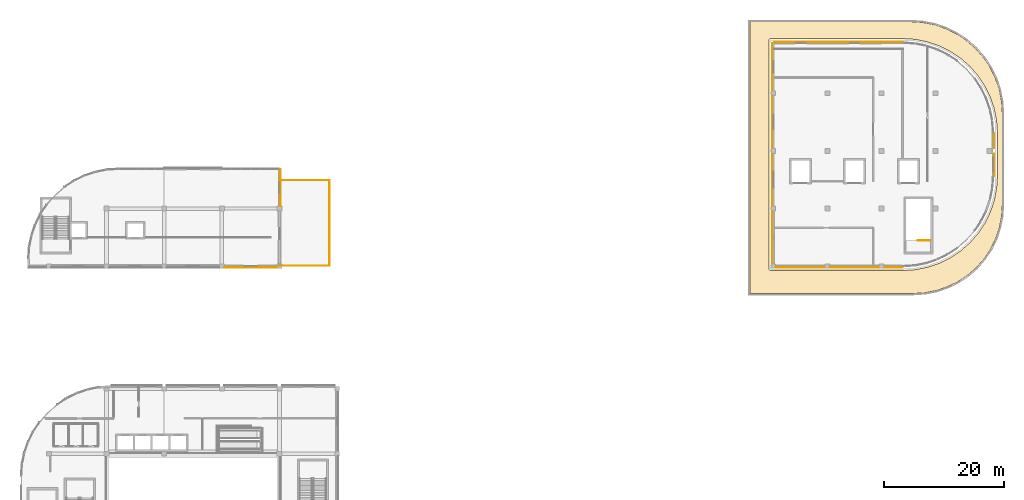
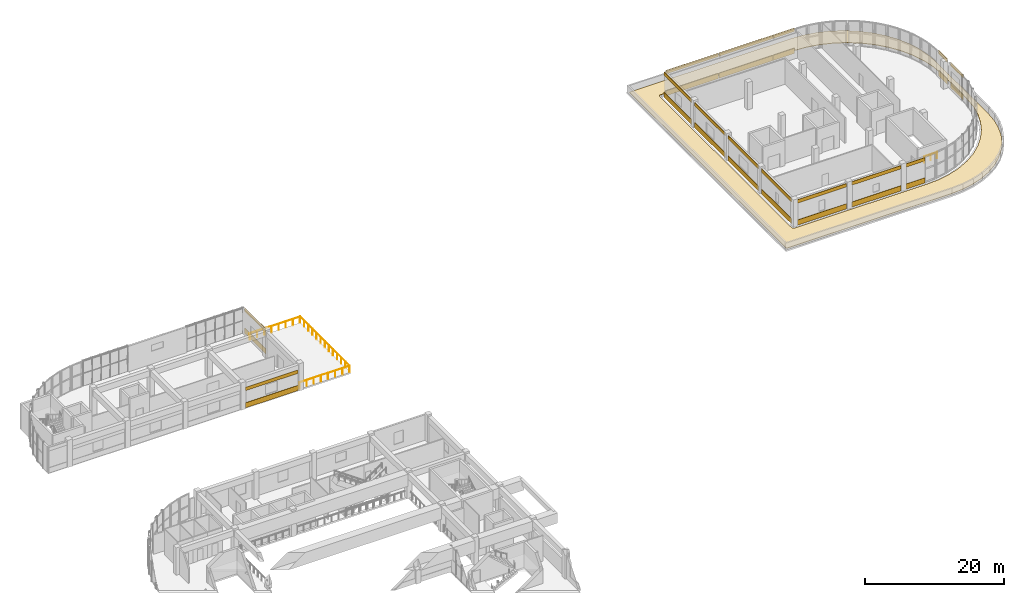
# One storey, part 32 of 33: 29 coverings, 4 railings.
"""IFC4 building model written with IfcOpenShell, lengths in metres."""

import ifcopenshell
import ifcopenshell.guid

model = None  # the IFC model being written
_history = None  # IfcOwnerHistory: only IFC2X3 demands one
_inside = {}  # id of a spatial element -> (the spatial element, [elements in it])
_under = {}  # id of a project, library or spatial element -> (it, [spatial elements below it])
_declared = {}  # id of a project -> (the project, [libraries it declares])
_typed = {}  # id of a type object -> (the type object, [elements of that type])
_made_of = {}  # id of a material, layer set ... -> (it, [elements and type objects made of it])


def new_model(schema):
    """Start an empty IFC model of exactly this schema.

    Asked for "IFC4X3", IfcOpenShell would pick the latest addendum, in which some entities
    have other attributes; the version numbers below select the first issue.
    IFC2X3 requires an IfcOwnerHistory on every rooted entity: one is made here for all.
    """
    global model, _history
    if schema == "IFC4X3":
        model = ifcopenshell.file(schema_version=(4, 3, 0, 0))
    else:
        model = ifcopenshell.file(schema=schema)
    _inside.clear()
    _under.clear()
    _declared.clear()
    _typed.clear()
    _made_of.clear()
    _history = None
    if model.schema == "IFC2X3":
        org = make("IfcOrganization", Name="unknown")
        user = make(
            "IfcPersonAndOrganization",
            ThePerson=make("IfcPerson", FamilyName="unknown"),
            TheOrganization=org,
        )
        app = make(
            "IfcApplication",
            ApplicationDeveloper=org,
            Version="unknown",
            ApplicationFullName="unknown",
            ApplicationIdentifier="unknown",
        )
        _history = make(
            "IfcOwnerHistory",
            OwningUser=user,
            OwningApplication=app,
            ChangeAction="ADDED",
            CreationDate=0,
        )
    return model


def make(cls, **values):
    """One entity of the class cls with the attributes given. An attribute that is None is left unset."""
    return model.create_entity(
        cls, **{name: value for name, value in values.items() if value is not None}
    )


def rooted(cls, **values):
    """An entity with a GlobalId (a new one), such as an element, a storey or a relation."""
    return make(cls, GlobalId=ifcopenshell.guid.new(), OwnerHistory=_history, **values)


def si_unit(unit_type, name, prefix=None):
    """IfcSIUnit, for example si_unit("LENGTHUNIT", "METRE", prefix="MILLI")."""
    return make("IfcSIUnit", UnitType=unit_type, Prefix=prefix, Name=name)


def assignment(units):
    """IfcUnitAssignment: the units of a project."""
    return None if units is None else make("IfcUnitAssignment", Units=units)


def point(xyz):
    """IfcCartesianPoint."""
    return None if xyz is None else make("IfcCartesianPoint", Coordinates=xyz)


def direction(xyz):
    """IfcDirection."""
    return None if xyz is None else make("IfcDirection", DirectionRatios=xyz)


def frame(location, z_axis=None, x_axis=None):
    """IfcAxis2Placement3D, a coordinate frame: its origin and axes. An axis left out is left unset."""
    return make(
        "IfcAxis2Placement3D",
        Location=point(location),
        Axis=direction(z_axis),
        RefDirection=direction(x_axis),
    )


def frame_2d(location, x_axis=None):
    """IfcAxis2Placement2D, a coordinate frame in the plane: its origin and x axis."""
    return make(
        "IfcAxis2Placement2D", Location=point(location), RefDirection=direction(x_axis)
    )


def origin():
    """The frame at (0, 0, 0) with its axes left unset."""
    return frame((0.0, 0.0, 0.0))


def origin_2d():
    """The frame at (0, 0) in the plane with its x axis left unset."""
    return frame_2d((0.0, 0.0))


def place(relative_to, where):
    """IfcLocalPlacement: puts the frame where relative to a parent placement (None: the world)."""
    return make(
        "IfcLocalPlacement", PlacementRelTo=relative_to, RelativePlacement=where
    )


def context(
    kind, dimensions, precision=None, world=None, true_north=None, identifier=None
):
    """IfcGeometricRepresentationContext, for example the 3D "Model" context."""
    return make(
        "IfcGeometricRepresentationContext",
        ContextIdentifier=identifier,
        ContextType=kind,
        CoordinateSpaceDimension=dimensions,
        Precision=precision,
        WorldCoordinateSystem=world,
        TrueNorth=true_north,
    )


def subcontext(parent, identifier, kind, view, scale=None):
    """IfcGeometricRepresentationSubContext, for example "Body" below "Model"."""
    return make(
        "IfcGeometricRepresentationSubContext",
        ContextIdentifier=identifier,
        ContextType=kind,
        ParentContext=parent,
        TargetScale=scale,
        TargetView=view,
    )


def project(units=None, contexts=None):
    """IfcProject with its units and contexts."""
    return rooted(
        "IfcProject",
        Name="project",
        RepresentationContexts=contexts,
        UnitsInContext=assignment(units),
    )


def spatial(cls, under=None, at=None, **own):
    """A site, building, storey or space (cls), placed at a placement, below another one or the project."""
    s = rooted(cls, ObjectPlacement=at, **own)
    if under is not None:
        _under.setdefault(under.id(), (under, []))[1].append(s)
    return s


def polyline(points):
    """IfcPolyline through the points."""
    return make("IfcPolyline", Points=[point(p) for p in points])


def profile(cls, at=None, kind="AREA", **sizes):
    """A parametric profile (cls). Its sizes go by their IFC names, for example OverallWidth=200.0."""
    return make(cls, ProfileType=kind, Position=at, **sizes)


def rectangle(**sizes):
    """IfcRectangleProfileDef."""
    return profile("IfcRectangleProfileDef", **sizes)


def circle(**sizes):
    """IfcCircleProfileDef."""
    return profile("IfcCircleProfileDef", **sizes)


def outline(outer, holes=None, kind="AREA"):
    """IfcArbitraryClosedProfileDef: a profile drawn as a closed curve; with holes, ...WithVoids."""
    if holes is None:
        return make("IfcArbitraryClosedProfileDef", ProfileType=kind, OuterCurve=outer)
    return make(
        "IfcArbitraryProfileDefWithVoids",
        ProfileType=kind,
        OuterCurve=outer,
        InnerCurves=holes,
    )


def extrude(swept, where, along, depth):
    """IfcExtrudedAreaSolid: the profile swept, set in the frame where, extruded along a direction by depth."""
    return make(
        "IfcExtrudedAreaSolid",
        SweptArea=swept,
        Position=where,
        ExtrudedDirection=direction(along),
        Depth=depth,
    )


def shape(context_of_items, identifier, shape_type, items):
    """IfcShapeRepresentation: the items that make up one representation, for example the "Body"."""
    return make(
        "IfcShapeRepresentation",
        ContextOfItems=context_of_items,
        RepresentationIdentifier=identifier,
        RepresentationType=shape_type,
        Items=items,
    )


def material(Name=None, Category=None):
    """IfcMaterial."""
    return make("IfcMaterial", Name=Name, Category=Category)


def layer(
    of_material, thickness, ventilated=None, Name=None, Category=None, Priority=None
):
    """IfcMaterialLayer: one layer of a wall or slab, of a material (None: an air gap)."""
    return make(
        "IfcMaterialLayer",
        Material=of_material,
        LayerThickness=thickness,
        IsVentilated=ventilated,
        Name=Name,
        Category=Category,
        Priority=Priority,
    )


def layer_set(layers, Name=None):
    """IfcMaterialLayerSet."""
    return make("IfcMaterialLayerSet", MaterialLayers=layers, LayerSetName=Name)


def made_of(thing, what):
    """Note that an element or type object is made of a material, layer set ...; save() writes the relation."""
    if what is not None:
        _made_of.setdefault(what.id(), (what, []))[1].append(thing)
    return thing


def type_object(cls, material=None, **own):
    """A type object (cls), such as IfcWallType, which elements share."""
    return made_of(rooted(cls, **own), material)


def element(
    cls,
    number,
    at=None,
    inside=None,
    cuts=None,
    type_object=None,
    material=None,
    context=None,
    identifier="Body",
    shape_type=None,
    held_by="IfcProductDefinitionShape",
    body=None,
    shapes=None,
    **own,
):
    """One element of the class cls, such as IfcWall. Its Tag is "e" and its number.

    at: its placement. inside: the storey or other place that contains it. cuts: it is an
    opening in that element (IfcRelVoidsElement). A single representation is given by context,
    identifier, shape_type and body (its items); several are given by shapes. held_by: the class
    of the entity that holds the representations. save() writes the other relations.
    """
    e = rooted(cls, Tag="e%d" % number, ObjectPlacement=at, **own)
    if body is not None:
        shapes = [shape(context, identifier, shape_type, body)]
    if shapes is not None:
        e.Representation = make(held_by, Representations=shapes)
    if inside is not None:
        _inside.setdefault(inside.id(), (inside, []))[1].append(e)
    if cuts is not None:
        rooted(
            "IfcRelVoidsElement", RelatingBuildingElement=cuts, RelatedOpeningElement=e
        )
    if type_object is not None:
        _typed.setdefault(type_object.id(), (type_object, []))[1].append(e)
    return made_of(e, material)


def aggregate(whole, parts):
    """IfcRelAggregates: a whole, such as a stair, and the parts it consists of."""
    return rooted("IfcRelAggregates", RelatingObject=whole, RelatedObjects=parts)


def save(model, path):
    """Write the relations noted so far, then the file.

    IfcRelAggregates (storeys below a building ...), IfcRelContainedInSpatialStructure (elements
    in a storey), IfcRelDefinesByType, IfcRelAssociatesMaterial and IfcRelDeclares: one each for
    every whole, place, type object, material and project.
    """
    for whole, parts in _under.values():
        aggregate(whole, parts)
    for where, things in _inside.values():
        rooted(
            "IfcRelContainedInSpatialStructure",
            RelatedElements=things,
            RelatingStructure=where,
        )
    for kind, things in _typed.values():
        rooted("IfcRelDefinesByType", RelatedObjects=things, RelatingType=kind)
    for what, things in _made_of.values():
        rooted("IfcRelAssociatesMaterial", RelatedObjects=things, RelatingMaterial=what)
    for by, libraries in _declared.values():
        rooted("IfcRelDeclares", RelatingContext=by, RelatedDefinitions=libraries)
    model.write(path)


model = new_model("IFC4")

# Units and contexts
model_context = context("Model", 3, precision=1e-05, world=origin(), true_north=direction((0.0, 1.0)))
body_context = subcontext(model_context, "Body", "Model", "MODEL_VIEW")
ifc_project = project(units=[si_unit("LENGTHUNIT", "METRE"), si_unit("AREAUNIT", "SQUARE_METRE"), si_unit("VOLUMEUNIT", "CUBIC_METRE"), si_unit("PLANEANGLEUNIT", "RADIAN"), si_unit("MASSUNIT", "GRAM", prefix="KILO")], contexts=[model_context])

# Site, building, storey
site_placement = place(None, origin())
site = spatial("IfcSite", under=ifc_project, at=site_placement, CompositionType="ELEMENT")
building_placement = place(site_placement, origin())
building = spatial("IfcBuilding", under=site, at=building_placement, Name="Cendralis Terraced Arcade", CompositionType="ELEMENT")
storey_placement = place(building_placement, frame((0.0, 0.0, 19.800048828125)))
storey = spatial("IfcBuildingStorey", under=building, at=storey_placement, Name="L04", CompositionType="ELEMENT", Elevation=19.800048828125)

# Coverings
ifc_material_1 = material(Name="Precast concrete f'c 40 MPa", Category="concrete")
ifc_layer_1 = layer(ifc_material_1, 0.06494140625, Name="COV-CLAD-GRC-65")
ifc_layer_set_1 = layer_set([ifc_layer_1], Name="Precast concrete f'c 40 MPa")
covering_type_1 = type_object("IfcCoveringType", Name="COV-CLAD-GRC-65", PredefinedType="CLADDING", material=ifc_layer_set_1)
covering_1_placement = place(storey_placement, frame((166.969970703125, 90.4990234375, 0.0), z_axis=(0.0, 0.0, 1.0), x_axis=(0.0, -1.0, 0.0)))
element("IfcCovering", 1, at=covering_1_placement, inside=storey, type_object=covering_type_1, Name="Banded Precast Stone Spandrel Cladding L04-431", PredefinedType="CLADDING", context=body_context, shape_type="SweptSolid", body=[
    extrude(rectangle(XDim=2.5419921875, YDim=0.06494140625, at=origin_2d()), origin(), (0.0, 0.0, 1.0), 0.89990234375),
])
covering_2_placement = place(storey_placement, frame((166.969970703125, 90.4990234375, 3.85986328125), z_axis=(0.0, 0.0, 1.0), x_axis=(0.0, -1.0, 0.0)))
element("IfcCovering", 2, at=covering_2_placement, inside=storey, type_object=covering_type_1, Name="Banded Precast Stone Lintel Cladding L04-432", PredefinedType="CLADDING", context=body_context, shape_type="SweptSolid", body=[
    extrude(rectangle(XDim=2.5419921875, YDim=0.06494140625, at=origin_2d()), origin(), (0.0, 0.0, 1.0), 0.60009765625),
])
covering_3_placement = place(storey_placement, frame((166.969970703125, 86.5009765625, 0.0), z_axis=(0.0, 0.0, 1.0), x_axis=(0.0, -1.0, 0.0)))
element("IfcCovering", 3, at=covering_3_placement, inside=storey, type_object=covering_type_1, Name="Banded Precast Stone Spandrel Cladding L04-433", PredefinedType="CLADDING", context=body_context, shape_type="SweptSolid", body=[
    extrude(rectangle(XDim=3.741943359375, YDim=0.06494140625, at=origin_2d()), origin(), (0.0, 0.0, 1.0), 0.89990234375),
])
covering_4_placement = place(storey_placement, frame((166.969970703125, 86.5009765625, 3.85986328125), z_axis=(0.0, 0.0, 1.0), x_axis=(0.0, -1.0, 0.0)))
element("IfcCovering", 4, at=covering_4_placement, inside=storey, type_object=covering_type_1, Name="Banded Precast Stone Lintel Cladding L04-434", PredefinedType="CLADDING", context=body_context, shape_type="SweptSolid", body=[
    extrude(rectangle(XDim=3.741943359375, YDim=0.06494140625, at=origin_2d()), origin(), (0.0, 0.0, 1.0), 0.60009765625),
])
covering_5_placement = place(storey_placement, frame((150.198974609375, 69.429931640625, 0.0), z_axis=(0.0, 0.0, 1.0), x_axis=(-1.0, 0.0, 0.0)))
element("IfcCovering", 5, at=covering_5_placement, inside=storey, type_object=covering_type_1, Name="Banded Precast Stone Spandrel Cladding L04-435", PredefinedType="CLADDING", context=body_context, shape_type="SweptSolid", body=[
    extrude(rectangle(XDim=3.14208984375, YDim=0.06494140625, at=origin_2d()), origin(), (0.0, 0.0, 1.0), 0.89990234375),
])
covering_6_placement = place(storey_placement, frame((150.198974609375, 69.429931640625, 3.85986328125), z_axis=(0.0, 0.0, 1.0), x_axis=(-1.0, 0.0, 0.0)))
element("IfcCovering", 6, at=covering_6_placement, inside=storey, type_object=covering_type_1, Name="Banded Precast Stone Lintel Cladding L04-436", PredefinedType="CLADDING", context=body_context, shape_type="SweptSolid", body=[
    extrude(rectangle(XDim=3.14208984375, YDim=0.06494140625, at=origin_2d()), origin(), (0.0, 0.0, 1.0), 0.60009765625),
])
covering_7_placement = place(storey_placement, frame((143.699951171875, 69.429931640625, 0.0), z_axis=(0.0, 0.0, 1.0), x_axis=(-1.0, 0.0, 0.0)))
element("IfcCovering", 7, at=covering_7_placement, inside=storey, type_object=covering_type_1, Name="Banded Precast Stone Spandrel Cladding L04-437", PredefinedType="CLADDING", context=body_context, shape_type="SweptSolid", body=[
    extrude(rectangle(XDim=8.14404296875, YDim=0.06494140625, at=origin_2d()), origin(), (0.0, 0.0, 1.0), 0.89990234375),
])
covering_8_placement = place(storey_placement, frame((143.699951171875, 69.429931640625, 3.85986328125), z_axis=(0.0, 0.0, 1.0), x_axis=(-1.0, 0.0, 0.0)))
element("IfcCovering", 8, at=covering_8_placement, inside=storey, type_object=covering_type_1, Name="Banded Precast Stone Lintel Cladding L04-438", PredefinedType="CLADDING", context=body_context, shape_type="SweptSolid", body=[
    extrude(rectangle(XDim=8.14404296875, YDim=0.06494140625, at=origin_2d()), origin(), (0.0, 0.0, 1.0), 0.60009765625),
])
covering_9_placement = place(storey_placement, frame((134.699951171875, 69.429931640625, 0.0), z_axis=(0.0, 0.0, 1.0), x_axis=(-1.0, 0.0, 0.0)))
element("IfcCovering", 9, at=covering_9_placement, inside=storey, type_object=covering_type_1, Name="Banded Precast Stone Spandrel Cladding L04-439", PredefinedType="CLADDING", context=body_context, shape_type="SweptSolid", body=[
    extrude(rectangle(XDim=8.14404296875, YDim=0.06494140625, at=origin_2d()), origin(), (0.0, 0.0, 1.0), 0.89990234375),
])
covering_10_placement = place(storey_placement, frame((134.699951171875, 69.429931640625, 3.85986328125), z_axis=(0.0, 0.0, 1.0), x_axis=(-1.0, 0.0, 0.0)))
element("IfcCovering", 10, at=covering_10_placement, inside=storey, type_object=covering_type_1, Name="Banded Precast Stone Lintel Cladding L04-440", PredefinedType="CLADDING", context=body_context, shape_type="SweptSolid", body=[
    extrude(rectangle(XDim=8.14404296875, YDim=0.06494140625, at=origin_2d()), origin(), (0.0, 0.0, 1.0), 0.60009765625),
])
covering_11_placement = place(storey_placement, frame((130.030029296875, 74.39990234375, 0.0), z_axis=(0.0, 0.0, 1.0), x_axis=(0.0, 1.0, 0.0)))
element("IfcCovering", 11, at=covering_11_placement, inside=storey, type_object=covering_type_1, Name="Banded Precast Stone Spandrel Cladding L04-441", PredefinedType="CLADDING", context=body_context, shape_type="SweptSolid", body=[
    extrude(rectangle(XDim=8.743896484375, YDim=0.06494140625, at=origin_2d()), origin(), (0.0, 0.0, 1.0), 0.89990234375),
])
covering_12_placement = place(storey_placement, frame((130.030029296875, 74.39990234375, 3.85986328125), z_axis=(0.0, 0.0, 1.0), x_axis=(0.0, 1.0, 0.0)))
element("IfcCovering", 12, at=covering_12_placement, inside=storey, type_object=covering_type_1, Name="Banded Precast Stone Lintel Cladding L04-442", PredefinedType="CLADDING", context=body_context, shape_type="SweptSolid", body=[
    extrude(rectangle(XDim=8.743896484375, YDim=0.06494140625, at=origin_2d()), origin(), (0.0, 0.0, 1.0), 0.60009765625),
])
covering_13_placement = place(storey_placement, frame((130.030029296875, 84.0, 0.0), z_axis=(0.0, 0.0, 1.0), x_axis=(0.0, 1.0, 0.0)))
element("IfcCovering", 13, at=covering_13_placement, inside=storey, type_object=covering_type_1, Name="Banded Precast Stone Spandrel Cladding L04-443", PredefinedType="CLADDING", context=body_context, shape_type="SweptSolid", body=[
    extrude(rectangle(XDim=8.743896484375, YDim=0.06494140625, at=origin_2d()), origin(), (0.0, 0.0, 1.0), 0.89990234375),
])
covering_14_placement = place(storey_placement, frame((130.030029296875, 84.0, 3.85986328125), z_axis=(0.0, 0.0, 1.0), x_axis=(0.0, 1.0, 0.0)))
element("IfcCovering", 14, at=covering_14_placement, inside=storey, type_object=covering_type_1, Name="Banded Precast Stone Lintel Cladding L04-444", PredefinedType="CLADDING", context=body_context, shape_type="SweptSolid", body=[
    extrude(rectangle(XDim=8.743896484375, YDim=0.06494140625, at=origin_2d()), origin(), (0.0, 0.0, 1.0), 0.60009765625),
])
covering_15_placement = place(storey_placement, frame((130.030029296875, 93.60009765625, 0.0), z_axis=(0.0, 0.0, 1.0), x_axis=(0.0, 1.0, 0.0)))
element("IfcCovering", 15, at=covering_15_placement, inside=storey, type_object=covering_type_1, Name="Banded Precast Stone Spandrel Cladding L04-445", PredefinedType="CLADDING", context=body_context, shape_type="SweptSolid", body=[
    extrude(rectangle(XDim=8.743896484375, YDim=0.06494140625, at=origin_2d()), origin(), (0.0, 0.0, 1.0), 0.89990234375),
])
covering_16_placement = place(storey_placement, frame((130.030029296875, 93.60009765625, 3.85986328125), z_axis=(0.0, 0.0, 1.0), x_axis=(0.0, 1.0, 0.0)))
element("IfcCovering", 16, at=covering_16_placement, inside=storey, type_object=covering_type_1, Name="Banded Precast Stone Lintel Cladding L04-446", PredefinedType="CLADDING", context=body_context, shape_type="SweptSolid", body=[
    extrude(rectangle(XDim=8.743896484375, YDim=0.06494140625, at=origin_2d()), origin(), (0.0, 0.0, 1.0), 0.60009765625),
])
covering_17_placement = place(storey_placement, frame((130.030029296875, 102.799072265625, 0.0), z_axis=(0.0, 0.0, 1.0), x_axis=(0.0, 1.0, 0.0)))
element("IfcCovering", 17, at=covering_17_placement, inside=storey, type_object=covering_type_1, Name="Banded Precast Stone Spandrel Cladding L04-447", PredefinedType="CLADDING", context=body_context, shape_type="SweptSolid", body=[
    extrude(rectangle(XDim=7.94189453125, YDim=0.06494140625, at=origin_2d()), origin(), (0.0, 0.0, 1.0), 0.89990234375),
])
covering_18_placement = place(storey_placement, frame((130.030029296875, 102.799072265625, 3.85986328125), z_axis=(0.0, 0.0, 1.0), x_axis=(0.0, 1.0, 0.0)))
element("IfcCovering", 18, at=covering_18_placement, inside=storey, type_object=covering_type_1, Name="Banded Precast Stone Lintel Cladding L04-448", PredefinedType="CLADDING", context=body_context, shape_type="SweptSolid", body=[
    extrude(rectangle(XDim=7.94189453125, YDim=0.06494140625, at=origin_2d()), origin(), (0.0, 0.0, 1.0), 0.60009765625),
])
covering_19_placement = place(storey_placement, frame((134.780029296875, 106.969970703125, 0.0), z_axis=(0.0, 0.0, 1.0), x_axis=(1.0, 0.0, 0.0)))
element("IfcCovering", 19, at=covering_19_placement, inside=storey, type_object=covering_type_1, Name="Banded Precast Stone Spandrel Cladding L04-449", PredefinedType="CLADDING", context=body_context, shape_type="SweptSolid", body=[
    extrude(rectangle(XDim=8.780029296875, YDim=0.06494140625, at=origin_2d()), origin(), (0.0, 0.0, 1.0), 0.89990234375),
])
covering_20_placement = place(storey_placement, frame((134.780029296875, 106.969970703125, 3.85986328125), z_axis=(0.0, 0.0, 1.0), x_axis=(1.0, 0.0, 0.0)))
element("IfcCovering", 20, at=covering_20_placement, inside=storey, type_object=covering_type_1, Name="Banded Precast Stone Lintel Cladding L04-450", PredefinedType="CLADDING", context=body_context, shape_type="SweptSolid", body=[
    extrude(rectangle(XDim=8.780029296875, YDim=0.06494140625, at=origin_2d()), origin(), (0.0, 0.0, 1.0), 0.60009765625),
])
covering_21_placement = place(storey_placement, frame((143.699951171875, 106.969970703125, 0.0), z_axis=(0.0, 0.0, 1.0), x_axis=(1.0, 0.0, 0.0)))
element("IfcCovering", 21, at=covering_21_placement, inside=storey, type_object=covering_type_1, Name="Banded Precast Stone Spandrel Cladding L04-451", PredefinedType="CLADDING", context=body_context, shape_type="SweptSolid", body=[
    extrude(rectangle(XDim=8.93994140625, YDim=0.06494140625, at=origin_2d()), origin(), (0.0, 0.0, 1.0), 0.89990234375),
])
covering_22_placement = place(storey_placement, frame((143.699951171875, 106.969970703125, 3.85986328125), z_axis=(0.0, 0.0, 1.0), x_axis=(1.0, 0.0, 0.0)))
element("IfcCovering", 22, at=covering_22_placement, inside=storey, type_object=covering_type_1, Name="Banded Precast Stone Lintel Cladding L04-452", PredefinedType="CLADDING", context=body_context, shape_type="SweptSolid", body=[
    extrude(rectangle(XDim=8.93994140625, YDim=0.06494140625, at=origin_2d()), origin(), (0.0, 0.0, 1.0), 0.60009765625),
])
covering_23_placement = place(storey_placement, frame((150.0, 106.969970703125, 0.0), z_axis=(0.0, 0.0, 1.0), x_axis=(1.0, 0.0, 0.0)))
element("IfcCovering", 23, at=covering_23_placement, inside=storey, type_object=covering_type_1, Name="Banded Precast Stone Spandrel Cladding L04-453", PredefinedType="CLADDING", context=body_context, shape_type="SweptSolid", body=[
    extrude(rectangle(XDim=3.5400390625, YDim=0.06494140625, at=origin_2d()), origin(), (0.0, 0.0, 1.0), 0.89990234375),
])
covering_24_placement = place(storey_placement, frame((150.0, 106.969970703125, 3.85986328125), z_axis=(0.0, 0.0, 1.0), x_axis=(1.0, 0.0, 0.0)))
element("IfcCovering", 24, at=covering_24_placement, inside=storey, type_object=covering_type_1, Name="Banded Precast Stone Lintel Cladding L04-454", PredefinedType="CLADDING", context=body_context, shape_type="SweptSolid", body=[
    extrude(rectangle(XDim=3.5400390625, YDim=0.06494140625, at=origin_2d()), origin(), (0.0, 0.0, 1.0), 0.60009765625),
])
covering_25_placement = place(storey_placement, frame((48.169921875, 82.698974609375, 0.0), z_axis=(0.0, 0.0, 1.0), x_axis=(0.0, -1.0, 0.0)))
element("IfcCovering", 25, at=covering_25_placement, inside=storey, type_object=covering_type_1, Name="Banded Precast Stone Spandrel Cladding L04-479", PredefinedType="CLADDING", context=body_context, shape_type="SweptSolid", body=[
    extrude(rectangle(XDim=6.14208984375, YDim=0.06494140625, at=origin_2d()), origin(), (0.0, 0.0, 1.0), 0.89990234375),
])
covering_26_placement = place(storey_placement, frame((48.169921875, 82.698974609375, 3.85986328125), z_axis=(0.0, 0.0, 1.0), x_axis=(0.0, -1.0, 0.0)))
element("IfcCovering", 26, at=covering_26_placement, inside=storey, type_object=covering_type_1, Name="Banded Precast Stone Lintel Cladding L04-480", PredefinedType="CLADDING", context=body_context, shape_type="SweptSolid", body=[
    extrude(rectangle(XDim=6.14208984375, YDim=0.06494140625, at=origin_2d()), origin(), (0.0, 0.0, 1.0), 0.60009765625),
])
covering_27_placement = place(storey_placement, frame((43.199951171875, 69.429931640625, 0.0), z_axis=(0.0, 0.0, 1.0), x_axis=(-1.0, 0.0, 0.0)))
element("IfcCovering", 27, at=covering_27_placement, inside=storey, type_object=covering_type_1, Name="Banded Precast Stone Spandrel Cladding L04-481", PredefinedType="CLADDING", context=body_context, shape_type="SweptSolid", body=[
    extrude(rectangle(XDim=8.743896484375, YDim=0.06494140625, at=origin_2d()), origin(), (0.0, 0.0, 1.0), 0.89990234375),
])
covering_28_placement = place(storey_placement, frame((43.199951171875, 69.429931640625, 3.02490234375), z_axis=(0.0, 0.0, 1.0), x_axis=(-1.0, 0.0, 0.0)))
element("IfcCovering", 28, at=covering_28_placement, inside=storey, type_object=covering_type_1, Name="Banded Precast Stone Lintel Cladding L04-482", PredefinedType="CLADDING", context=body_context, shape_type="SweptSolid", body=[
    extrude(rectangle(XDim=8.743896484375, YDim=0.06494140625, at=origin_2d()), origin(), (0.0, 0.0, 1.0), 0.60009765625),
])
ifc_material_2 = material(Name="TPO insulated waterproofing membrane")
ifc_layer_2 = layer(ifc_material_2, 0.080078125, Name="COV-ROOF-MEM-80")
ifc_layer_set_2 = layer_set([ifc_layer_2], Name="TPO insulated waterproofing membrane")
covering_type_2 = type_object("IfcCoveringType", Name="COV-ROOF-MEM-80", PredefinedType="ROOFING", material=ifc_layer_set_2)
covering_29_placement = place(storey_placement, origin())
element("IfcCovering", 29, at=covering_29_placement, inside=storey, type_object=covering_type_2, Name="Insulated Waterproofing Roof Membrane L04-06", PredefinedType="ROOFING", context=body_context, shape_type="SweptSolid", body=[
    extrude(outline(polyline([(158.92431640625, 109.160888671875), (160.709716796875, 108.280517578125), (162.364990234375, 107.17431640625), (163.86181640625, 105.86181640625), (165.17431640625, 104.364990234375), (166.280517578125, 102.709716796875), (167.160888671875, 100.92431640625), (167.80078125, 99.0390625), (168.189208984375, 97.086669921875), (168.320068359375, 95.0908203125), (168.320068359375, 79.80908203125), (168.193603515625, 77.878662109375), (167.81787109375, 75.990234375), (167.198974609375, 74.1669921875), (166.347412109375, 72.440185546875), (165.277587890625, 70.83935546875), (164.00830078125, 69.391845703125), (162.560546875, 68.122314453125), (160.959716796875, 67.052490234375), (159.23291015625, 66.200927734375), (157.40966796875, 65.58203125), (155.521240234375, 65.20654296875), (153.5908203125, 65.080078125), (126.280029296875, 65.080078125), (126.280029296875, 110.320068359375), (153.0908203125, 110.320068359375), (155.086669921875, 110.189208984375), (157.0390625, 109.80078125), (158.92431640625, 109.160888671875)]), holes=[polyline([(151.813720703125, 68.89990234375), (151.83203125, 68.900634765625), (153.8310546875, 69.031494140625), (153.867431640625, 69.036376953125), (155.845947265625, 69.429931640625), (155.881103515625, 69.439453125), (157.79150390625, 70.087890625), (157.8251953125, 70.101806640625), (159.63427734375, 70.993896484375), (159.666015625, 71.01220703125), (161.34326171875, 72.133056640625), (161.372314453125, 72.1552734375), (162.888916015625, 73.4853515625), (162.914794921875, 73.51123046875), (164.24462890625, 75.02783203125), (164.26708984375, 75.056884765625), (165.3876953125, 76.73388671875), (165.406005859375, 76.765625), (166.298095703125, 78.57470703125), (166.312255859375, 78.608642578125), (166.960693359375, 80.518798828125), (166.97021484375, 80.55419921875), (167.363525390625, 82.532470703125), (167.368408203125, 82.56884765625), (167.49951171875, 84.56787109375), (167.5, 84.586181640625), (167.5, 91.813720703125), (167.49951171875, 91.83203125), (167.368408203125, 93.8310546875), (167.363525390625, 93.867431640625), (166.97021484375, 95.845947265625), (166.960693359375, 95.881103515625), (166.312255859375, 97.79150390625), (166.298095703125, 97.8251953125), (165.406005859375, 99.63427734375), (165.3876953125, 99.666015625), (164.26708984375, 101.34326171875), (164.24462890625, 101.372314453125), (162.914794921875, 102.888916015625), (162.888916015625, 102.914794921875), (161.372314453125, 104.24462890625), (161.34326171875, 104.26708984375), (159.666015625, 105.3876953125), (159.63427734375, 105.406005859375), (157.8251953125, 106.298095703125), (157.79150390625, 106.312255859375), (155.881103515625, 106.960693359375), (155.845947265625, 106.97021484375), (153.867431640625, 107.363525390625), (153.8310546875, 107.368408203125), (151.83203125, 107.49951171875), (151.813720703125, 107.5), (129.780029296875, 107.5), (129.752685546875, 107.498779296875), (129.725341796875, 107.49462890625), (129.69873046875, 107.48779296875), (129.6728515625, 107.478759765625), (129.64794921875, 107.466796875), (129.62451171875, 107.452880859375), (129.602294921875, 107.436279296875), (129.58203125, 107.41796875), (129.563720703125, 107.397705078125), (129.547119140625, 107.37548828125), (129.533203125, 107.35205078125), (129.521240234375, 107.3271484375), (129.51220703125, 107.30126953125), (129.50537109375, 107.274658203125), (129.501220703125, 107.247314453125), (129.5, 107.219970703125), (129.5, 69.179931640625), (129.501220703125, 69.152587890625), (129.50537109375, 69.12548828125), (129.51220703125, 69.0986328125), (129.521240234375, 69.07275390625), (129.533203125, 69.048095703125), (129.547119140625, 69.0244140625), (129.563720703125, 69.00244140625), (129.58203125, 68.98193359375), (129.602294921875, 68.963623046875), (129.62451171875, 68.947265625), (129.64794921875, 68.93310546875), (129.6728515625, 68.92138671875), (129.69873046875, 68.912109375), (129.725341796875, 68.905517578125), (129.752685546875, 68.9013671875), (129.780029296875, 68.89990234375), (151.813720703125, 68.89990234375)])]), origin(), (0.0, 0.0, 1.0), 0.079833984375),
])

# Railings
ifc_material_3 = material(Name="Brushed stainless steel AISI 316", Category="steel")
railing_type_1 = type_object("IfcRailingType", Name="RL-STAIR-GUARD-1100", PredefinedType="GUARDRAIL", material=ifc_material_3)
railing_1_placement = place(storey_placement, frame((156.39990234375, 73.89990234375, 0.0)))
element("IfcRailing", 30, at=railing_1_placement, inside=storey, type_object=railing_type_1, Name="L04 ST-06 top well guard 1", PredefinedType="GUARDRAIL", context=body_context, shape_type="SweptSolid", body=[
    extrude(circle(Radius=0.02392578125, at=origin_2d()), frame((0.0, 0.0, 1.076171875), z_axis=(-1.0, 0.0, 0.0), x_axis=(0.0, -1.0, 0.0)), (0.0, 0.0, 1.0), 2.14990234375),
    extrude(circle(Radius=0.02099609375, at=origin_2d()), origin(), (0.0, 0.0, 1.0), 1.052001953125),
    extrude(circle(Radius=0.02099609375, at=origin_2d()), frame((-1.074951171875, 0.0, 0.0)), (0.0, 0.0, 1.0), 1.052001953125),
    extrude(circle(Radius=0.02099609375, at=origin_2d()), frame((-2.14990234375, 0.0, 0.0)), (0.0, 0.0, 1.0), 1.052001953125),
])
railing_type_2 = type_object("IfcRailingType", Name="RL-TER-GUARD-1150", PredefinedType="GUARDRAIL", material=ifc_material_3)
railing_2_placement = place(storey_placement, frame((48.0, 69.679931640625, 0.0)))
element("IfcRailing", 31, at=railing_2_placement, inside=storey, type_object=railing_type_2, Name="Planted Terrace Perimeter Guardrail GR-TER-L04-015", PredefinedType="GUARDRAIL", context=body_context, shape_type="SweptSolid", body=[
    extrude(circle(Radius=0.02392578125, at=origin_2d()), frame((0.0, 0.0, 1.1259765625), z_axis=(1.0, 0.0, 0.0), x_axis=(0.0, 1.0, 0.0)), (0.0, 0.0, 1.0), 8.320068359375),
    extrude(circle(Radius=0.02099609375, at=origin_2d()), origin(), (0.0, 0.0, 1.0), 1.101806640625),
    extrude(circle(Radius=0.02099609375, at=origin_2d()), frame((1.1884765625, 0.0, 0.0)), (0.0, 0.0, 1.0), 1.101806640625),
    extrude(circle(Radius=0.02099609375, at=origin_2d()), frame((2.377197265625, 0.0, 0.0)), (0.0, 0.0, 1.0), 1.101806640625),
    extrude(circle(Radius=0.02099609375, at=origin_2d()), frame((3.565673828125, 0.0, 0.0)), (0.0, 0.0, 1.0), 1.101806640625),
    extrude(circle(Radius=0.02099609375, at=origin_2d()), frame((4.75439453125, 0.0, 0.0)), (0.0, 0.0, 1.0), 1.101806640625),
    extrude(circle(Radius=0.02099609375, at=origin_2d()), frame((5.94287109375, 0.0, 0.0)), (0.0, 0.0, 1.0), 1.101806640625),
    extrude(circle(Radius=0.02099609375, at=origin_2d()), frame((7.131591796875, 0.0, 0.0)), (0.0, 0.0, 1.0), 1.101806640625),
    extrude(circle(Radius=0.02099609375, at=origin_2d()), frame((8.320068359375, 0.0, 0.0)), (0.0, 0.0, 1.0), 1.101806640625),
])
railing_3_placement = place(storey_placement, frame((56.320068359375, 69.679931640625, 0.0)))
element("IfcRailing", 32, at=railing_3_placement, inside=storey, type_object=railing_type_2, Name="Planted Terrace Perimeter Guardrail GR-TER-L04-016", PredefinedType="GUARDRAIL", context=body_context, shape_type="SweptSolid", body=[
    extrude(circle(Radius=0.02392578125, at=origin_2d()), frame((0.0, 0.0, 1.1259765625), z_axis=(0.0, 1.0, 0.0), x_axis=(-1.0, 0.0, 0.0)), (0.0, 0.0, 1.0), 14.239990234375),
    extrude(circle(Radius=0.02099609375, at=origin_2d()), origin(), (0.0, 0.0, 1.0), 1.101806640625),
    extrude(circle(Radius=0.02099609375, at=origin_2d()), frame((0.0, 1.186767578125, 0.0)), (0.0, 0.0, 1.0), 1.101806640625),
    extrude(circle(Radius=0.02099609375, at=origin_2d()), frame((0.0, 2.373291015625, 0.0)), (0.0, 0.0, 1.0), 1.101806640625),
    extrude(circle(Radius=0.02099609375, at=origin_2d()), frame((0.0, 3.56005859375, 0.0)), (0.0, 0.0, 1.0), 1.101806640625),
    extrude(circle(Radius=0.02099609375, at=origin_2d()), frame((0.0, 4.74658203125, 0.0)), (0.0, 0.0, 1.0), 1.101806640625),
    extrude(circle(Radius=0.02099609375, at=origin_2d()), frame((0.0, 5.933349609375, 0.0)), (0.0, 0.0, 1.0), 1.101806640625),
    extrude(circle(Radius=0.02099609375, at=origin_2d()), frame((0.0, 7.1201171875, 0.0)), (0.0, 0.0, 1.0), 1.101806640625),
    extrude(circle(Radius=0.02099609375, at=origin_2d()), frame((0.0, 8.306640625, 0.0)), (0.0, 0.0, 1.0), 1.101806640625),
    extrude(circle(Radius=0.02099609375, at=origin_2d()), frame((0.0, 9.493408203125, 0.0)), (0.0, 0.0, 1.0), 1.101806640625),
    extrude(circle(Radius=0.02099609375, at=origin_2d()), frame((0.0, 10.679931640625, 0.0)), (0.0, 0.0, 1.0), 1.101806640625),
    extrude(circle(Radius=0.02099609375, at=origin_2d()), frame((0.0, 11.86669921875, 0.0)), (0.0, 0.0, 1.0), 1.101806640625),
    extrude(circle(Radius=0.02099609375, at=origin_2d()), frame((0.0, 13.05322265625, 0.0)), (0.0, 0.0, 1.0), 1.101806640625),
    extrude(circle(Radius=0.02099609375, at=origin_2d()), frame((0.0, 14.239990234375, 0.0)), (0.0, 0.0, 1.0), 1.101806640625),
])
railing_4_placement = place(storey_placement, frame((56.320068359375, 83.919921875, 0.0)))
element("IfcRailing", 33, at=railing_4_placement, inside=storey, type_object=railing_type_2, Name="Planted Terrace Perimeter Guardrail GR-TER-L04-017", PredefinedType="GUARDRAIL", context=body_context, shape_type="SweptSolid", body=[
    extrude(circle(Radius=0.02392578125, at=origin_2d()), frame((0.0, 0.0, 1.1259765625), z_axis=(-1.0, 0.0, 0.0), x_axis=(0.0, -1.0, 0.0)), (0.0, 0.0, 1.0), 8.320068359375),
    extrude(circle(Radius=0.02099609375, at=origin_2d()), origin(), (0.0, 0.0, 1.0), 1.101806640625),
    extrude(circle(Radius=0.02099609375, at=origin_2d()), frame((-1.1884765625, 0.0, 0.0)), (0.0, 0.0, 1.0), 1.101806640625),
    extrude(circle(Radius=0.02099609375, at=origin_2d()), frame((-2.377197265625, 0.0, 0.0)), (0.0, 0.0, 1.0), 1.101806640625),
    extrude(circle(Radius=0.02099609375, at=origin_2d()), frame((-3.565673828125, 0.0, 0.0)), (0.0, 0.0, 1.0), 1.101806640625),
    extrude(circle(Radius=0.02099609375, at=origin_2d()), frame((-4.75439453125, 0.0, 0.0)), (0.0, 0.0, 1.0), 1.101806640625),
    extrude(circle(Radius=0.02099609375, at=origin_2d()), frame((-5.94287109375, 0.0, 0.0)), (0.0, 0.0, 1.0), 1.101806640625),
    extrude(circle(Radius=0.02099609375, at=origin_2d()), frame((-7.131591796875, 0.0, 0.0)), (0.0, 0.0, 1.0), 1.101806640625),
    extrude(circle(Radius=0.02099609375, at=origin_2d()), frame((-8.320068359375, 0.0, 0.0)), (0.0, 0.0, 1.0), 1.101806640625),
])

save(model, "model.ifc")
